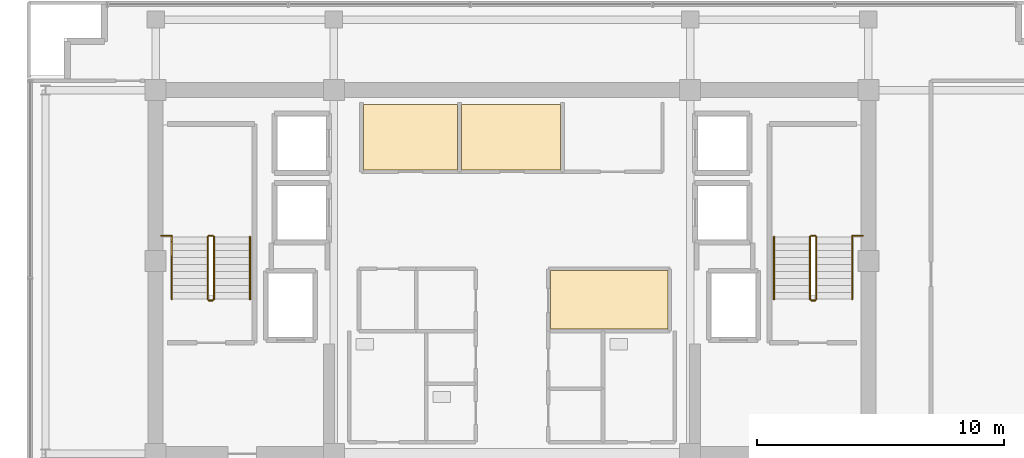
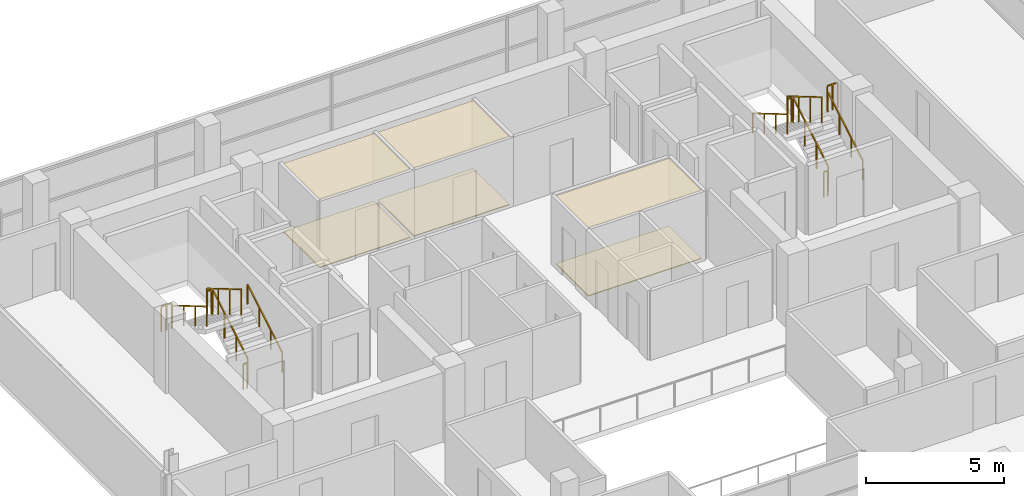
# One storey, part 20 of 21: 14 railings, 6 coverings.
"""IFC4 building model written with IfcOpenShell, lengths in metres."""

from ifc_helpers import new_model, si_unit, direction, frame, origin, origin_2d, place, context, subcontext, project, spatial, polyline, rectangle, outline, extrude, material, layer, layer_set, type_object, element, save


model = new_model("IFC4")

# Units and contexts
model_context = context("Model", 3, precision=1e-05, world=origin(), true_north=direction((0.0, 1.0)))
body_context = subcontext(model_context, "Body", "Model", "MODEL_VIEW")
ifc_project = project(units=[si_unit("LENGTHUNIT", "METRE"), si_unit("AREAUNIT", "SQUARE_METRE"), si_unit("VOLUMEUNIT", "CUBIC_METRE"), si_unit("PLANEANGLEUNIT", "RADIAN"), si_unit("MASSUNIT", "GRAM", prefix="KILO")], contexts=[model_context])

# Site, building, storey
site_placement = place(None, origin())
site = spatial("IfcSite", under=ifc_project, at=site_placement, CompositionType="ELEMENT")
building_placement = place(site_placement, origin())
building = spatial("IfcBuilding", under=site, at=building_placement, Name="Zarnakvel Exchange Tower", CompositionType="ELEMENT")
storey_placement = place(building_placement, frame((0.0, 0.0, 241.89990234375)))
storey = spatial("IfcBuildingStorey", under=building, at=storey_placement, Name="L68", CompositionType="ELEMENT", Elevation=241.89990234375)

# Coverings
ifc_material_1 = material(Name="Perforated Bronze Acoustic Metal Ceiling", Category="aluminium")
ifc_layer_1 = layer(ifc_material_1, 0.02001953125)
ifc_layer_set_1 = layer_set([ifc_layer_1], Name="Perforated Bronze Acoustic Metal Ceiling")
covering_type_1 = type_object("IfcCoveringType", Name="CLG-01", PredefinedType="CEILING", material=ifc_layer_set_1)
covering_1_placement = place(storey_placement, frame((0.0, 0.0, 3.01513671875)))
element("IfcCovering", 1, at=covering_1_placement, inside=storey, type_object=covering_type_1, Name="L68 Suspended Acoustic Ceiling (Clearing Records Office)", PredefinedType="CEILING", context=body_context, shape_type="SweptSolid", body=[
    extrude(outline(polyline([(-6.0, 12.919921875), (-2.199951171875, 12.919921875), (-2.199951171875, 10.280029296875), (-6.0, 10.280029296875), (-6.0, 12.919921875)])), origin(), (0.0, 0.0, 1.0), 0.02001953125),
])
covering_2_placement = place(storey_placement, frame((0.0, 0.0, 3.01513671875)))
element("IfcCovering", 2, at=covering_2_placement, inside=storey, type_object=covering_type_1, Name="L68 Suspended Acoustic Ceiling (Brokerage Filing Room)", PredefinedType="CEILING", context=body_context, shape_type="SweptSolid", body=[
    extrude(outline(polyline([(-2.0400390625, 12.919921875), (1.9599609375, 12.919921875), (1.9599609375, 10.280029296875), (-2.0400390625, 10.280029296875), (-2.0400390625, 12.919921875)])), origin(), (0.0, 0.0, 1.0), 0.02001953125),
])
covering_3_placement = place(storey_placement, frame((0.0, 0.0, 3.01513671875)))
element("IfcCovering", 3, at=covering_3_placement, inside=storey, type_object=covering_type_1, Name="L68 Suspended Acoustic Ceiling (Telemetry Server Suite)", PredefinedType="CEILING", context=body_context, shape_type="SweptSolid", body=[
    extrude(outline(polyline([(1.550048828125, 6.199951171875), (6.300048828125, 6.199951171875), (6.300048828125, 3.840087890625), (1.550048828125, 3.840087890625), (1.550048828125, 6.199951171875)])), origin(), (0.0, 0.0, 1.0), 0.02001953125),
])
ifc_material_2 = material(Name="Heavy-Duty Raised Access Floor Panel", Category="steel")
ifc_layer_2 = layer(ifc_material_2, 0.034912109375)
ifc_layer_set_2 = layer_set([ifc_layer_2], Name="Heavy-Duty Raised Access Floor Panel")
covering_type_2 = type_object("IfcCoveringType", Name="FLR-02", PredefinedType="FLOORING", material=ifc_layer_set_2)
covering_4_placement = place(storey_placement, origin())
element("IfcCovering", 4, at=covering_4_placement, inside=storey, type_object=covering_type_2, Name="L68 Floor Finish (Clearing Records Office)", PredefinedType="FLOORING", context=body_context, shape_type="SweptSolid", body=[
    extrude(outline(polyline([(-6.0, 12.919921875), (-2.199951171875, 12.919921875), (-2.199951171875, 10.280029296875), (-6.0, 10.280029296875), (-6.0, 12.919921875)])), origin(), (0.0, 0.0, 1.0), 0.03515625),
])
covering_5_placement = place(storey_placement, origin())
element("IfcCovering", 5, at=covering_5_placement, inside=storey, type_object=covering_type_2, Name="L68 Floor Finish (Brokerage Filing Room)", PredefinedType="FLOORING", context=body_context, shape_type="SweptSolid", body=[
    extrude(outline(polyline([(-2.0400390625, 12.919921875), (1.9599609375, 12.919921875), (1.9599609375, 10.280029296875), (-2.0400390625, 10.280029296875), (-2.0400390625, 12.919921875)])), origin(), (0.0, 0.0, 1.0), 0.03515625),
])
covering_6_placement = place(storey_placement, origin())
element("IfcCovering", 6, at=covering_6_placement, inside=storey, type_object=covering_type_2, Name="L68 Floor Finish (Telemetry Server Suite)", PredefinedType="FLOORING", context=body_context, shape_type="SweptSolid", body=[
    extrude(outline(polyline([(1.550048828125, 6.199951171875), (6.300048828125, 6.199951171875), (6.300048828125, 3.840087890625), (1.550048828125, 3.840087890625), (1.550048828125, 6.199951171875)])), origin(), (0.0, 0.0, 1.0), 0.03515625),
])

# Railings
ifc_material_3 = material(Name="Brushed Stainless Steel", Category="steel")
railing_type_1 = type_object("IfcRailingType", Name="HR-01", PredefinedType="HANDRAIL", material=ifc_material_3)
railing_1_placement = place(storey_placement, frame((-10.590087890625, 5.050048828125, 0.1650390625)))
element("IfcRailing", 7, at=railing_1_placement, inside=storey, type_object=railing_type_1, Name="L68 ST-01 stair handrail 1", PredefinedType="HANDRAIL", context=body_context, shape_type="SweptSolid", body=[
    extrude(rectangle(XDim=0.048095703125, YDim=0.048095703125, at=origin_2d()), frame((0.0, 0.0, 0.8759765625), z_axis=(0.0, 0.86152411907, 0.507716645641), x_axis=(-1.0, 0.0, 0.0)), (0.0, 0.0, 1.0), 2.925048828125),
    extrude(rectangle(XDim=0.0419921875, YDim=0.0419921875, at=origin_2d()), origin(), (0.0, 0.0, 1.0), 0.851806640625),
    extrude(rectangle(XDim=0.0419921875, YDim=0.0419921875, at=origin_2d()), frame((0.0, 0.840087890625, 0.4951171875)), (0.0, 0.0, 1.0), 0.851806640625),
    extrude(rectangle(XDim=0.0419921875, YDim=0.0419921875, at=origin_2d()), frame((0.0, 1.679931640625, 0.989990234375)), (0.0, 0.0, 1.0), 0.851806640625),
    extrude(rectangle(XDim=0.0419921875, YDim=0.0419921875, at=origin_2d()), frame((0.0, 2.52001953125, 1.485107421875)), (0.0, 0.0, 1.0), 0.851806640625),
])
railing_2_placement = place(storey_placement, frame((-13.75, 7.570068359375, 1.815185546875)))
element("IfcRailing", 8, at=railing_2_placement, inside=storey, type_object=railing_type_1, Name="L68 ST-01 stair handrail 2", PredefinedType="HANDRAIL", context=body_context, shape_type="SweptSolid", body=[
    extrude(rectangle(XDim=0.048095703125, YDim=0.048095703125, at=origin_2d()), frame((0.0, 0.0, 0.8759765625), z_axis=(0.0, -0.861560626758, 0.507654692109), x_axis=(1.0, 0.0, 0.0)), (0.0, 0.0, 1.0), 2.925048828125),
    extrude(rectangle(XDim=0.0419921875, YDim=0.0419921875, at=origin_2d()), origin(), (0.0, 0.0, 1.0), 0.851806640625),
    extrude(rectangle(XDim=0.0419921875, YDim=0.0419921875, at=origin_2d()), frame((0.0, -0.840087890625, 0.494873046875)), (0.0, 0.0, 1.0), 0.851806640625),
    extrude(rectangle(XDim=0.0419921875, YDim=0.0419921875, at=origin_2d()), frame((0.0, -1.679931640625, 0.989990234375)), (0.0, 0.0, 1.0), 0.851806640625),
    extrude(rectangle(XDim=0.0419921875, YDim=0.0419921875, at=origin_2d()), frame((0.0, -2.52001953125, 1.48486328125)), (0.0, 0.0, 1.0), 0.851806640625),
])
railing_3_placement = place(storey_placement, frame((13.75, 5.050048828125, 0.1650390625)))
element("IfcRailing", 9, at=railing_3_placement, inside=storey, type_object=railing_type_1, Name="L68 ST-02 stair handrail 1", PredefinedType="HANDRAIL", context=body_context, shape_type="SweptSolid", body=[
    extrude(rectangle(XDim=0.048095703125, YDim=0.048095703125, at=origin_2d()), frame((0.0, 0.0, 0.8759765625), z_axis=(0.0, 0.86152411907, 0.507716645641), x_axis=(-1.0, 0.0, 0.0)), (0.0, 0.0, 1.0), 2.925048828125),
    extrude(rectangle(XDim=0.0419921875, YDim=0.0419921875, at=origin_2d()), origin(), (0.0, 0.0, 1.0), 0.851806640625),
    extrude(rectangle(XDim=0.0419921875, YDim=0.0419921875, at=origin_2d()), frame((0.0, 0.840087890625, 0.4951171875)), (0.0, 0.0, 1.0), 0.851806640625),
    extrude(rectangle(XDim=0.0419921875, YDim=0.0419921875, at=origin_2d()), frame((0.0, 1.679931640625, 0.989990234375)), (0.0, 0.0, 1.0), 0.851806640625),
    extrude(rectangle(XDim=0.0419921875, YDim=0.0419921875, at=origin_2d()), frame((0.0, 2.52001953125, 1.485107421875)), (0.0, 0.0, 1.0), 0.851806640625),
])
railing_4_placement = place(storey_placement, frame((10.590087890625, 7.570068359375, 1.815185546875)))
element("IfcRailing", 10, at=railing_4_placement, inside=storey, type_object=railing_type_1, Name="L68 ST-02 stair handrail 2", PredefinedType="HANDRAIL", context=body_context, shape_type="SweptSolid", body=[
    extrude(rectangle(XDim=0.048095703125, YDim=0.048095703125, at=origin_2d()), frame((0.0, 0.0, 0.8759765625), z_axis=(0.0, -0.861560626758, 0.507654692109), x_axis=(1.0, 0.0, 0.0)), (0.0, 0.0, 1.0), 2.925048828125),
    extrude(rectangle(XDim=0.0419921875, YDim=0.0419921875, at=origin_2d()), origin(), (0.0, 0.0, 1.0), 0.851806640625),
    extrude(rectangle(XDim=0.0419921875, YDim=0.0419921875, at=origin_2d()), frame((0.0, -0.840087890625, 0.494873046875)), (0.0, 0.0, 1.0), 0.851806640625),
    extrude(rectangle(XDim=0.0419921875, YDim=0.0419921875, at=origin_2d()), frame((0.0, -1.679931640625, 0.989990234375)), (0.0, 0.0, 1.0), 0.851806640625),
    extrude(rectangle(XDim=0.0419921875, YDim=0.0419921875, at=origin_2d()), frame((0.0, -2.52001953125, 1.48486328125)), (0.0, 0.0, 1.0), 0.851806640625),
])
ifc_material_4 = material(Name="Architectural Bronze Anodised Aluminium", Category="aluminium")
railing_type_2 = type_object("IfcRailingType", Name="SG-01", PredefinedType="GUARDRAIL", material=ifc_material_4)
railing_5_placement = place(storey_placement, frame((-12.0400390625, 5.050048828125, 0.1650390625)))
element("IfcRailing", 11, at=railing_5_placement, inside=storey, type_object=railing_type_2, Name="L68 ST-01 stair guard 1", PredefinedType="GUARDRAIL", context=body_context, shape_type="SweptSolid", body=[
    extrude(rectangle(XDim=0.048095703125, YDim=0.048095703125, at=origin_2d()), frame((0.0, 0.0, 1.1259765625), z_axis=(0.0, 0.86152411907, 0.507716645641), x_axis=(-1.0, 0.0, 0.0)), (0.0, 0.0, 1.0), 2.925048828125),
    extrude(rectangle(XDim=0.0419921875, YDim=0.0419921875, at=origin_2d()), origin(), (0.0, 0.0, 1.0), 1.101806640625),
    extrude(rectangle(XDim=0.0419921875, YDim=0.0419921875, at=origin_2d()), frame((0.0, 0.840087890625, 0.4951171875)), (0.0, 0.0, 1.0), 1.101806640625),
    extrude(rectangle(XDim=0.0419921875, YDim=0.0419921875, at=origin_2d()), frame((0.0, 1.679931640625, 0.989990234375)), (0.0, 0.0, 1.0), 1.101806640625),
    extrude(rectangle(XDim=0.0419921875, YDim=0.0419921875, at=origin_2d()), frame((0.0, 2.52001953125, 1.485107421875)), (0.0, 0.0, 1.0), 1.101806640625),
])
railing_6_placement = place(storey_placement, frame((-12.090087890625, 7.6201171875, 1.650146484375)))
element("IfcRailing", 12, at=railing_6_placement, inside=storey, type_object=railing_type_2, Name="L68 ST-01 stair guard 2", PredefinedType="GUARDRAIL", context=body_context, shape_type="SweptSolid", body=[
    extrude(rectangle(XDim=0.048095703125, YDim=0.048095703125, at=origin_2d()), frame((0.0, 0.0, 1.1259765625), z_axis=(-1.0, 0.0, 0.0), x_axis=(0.0, -1.0, 0.0)), (0.0, 0.0, 1.0), 0.159912109375),
    extrude(rectangle(XDim=0.0419921875, YDim=0.0419921875, at=origin_2d()), origin(), (0.0, 0.0, 1.0), 1.101806640625),
    extrude(rectangle(XDim=0.0419921875, YDim=0.0419921875, at=origin_2d()), frame((-0.159912109375, 0.0, 0.0)), (0.0, 0.0, 1.0), 1.101806640625),
])
railing_7_placement = place(storey_placement, frame((-12.300048828125, 7.570068359375, 1.815185546875)))
element("IfcRailing", 13, at=railing_7_placement, inside=storey, type_object=railing_type_2, Name="L68 ST-01 stair guard 3", PredefinedType="GUARDRAIL", context=body_context, shape_type="SweptSolid", body=[
    extrude(rectangle(XDim=0.048095703125, YDim=0.048095703125, at=origin_2d()), frame((0.0, 0.0, 1.1259765625), z_axis=(0.0, -0.861560626758, 0.507654692109), x_axis=(1.0, 0.0, 0.0)), (0.0, 0.0, 1.0), 2.925048828125),
    extrude(rectangle(XDim=0.0419921875, YDim=0.0419921875, at=origin_2d()), origin(), (0.0, 0.0, 1.0), 1.101806640625),
    extrude(rectangle(XDim=0.0419921875, YDim=0.0419921875, at=origin_2d()), frame((0.0, -0.840087890625, 0.494873046875)), (0.0, 0.0, 1.0), 1.101806640625),
    extrude(rectangle(XDim=0.0419921875, YDim=0.0419921875, at=origin_2d()), frame((0.0, -1.679931640625, 0.989990234375)), (0.0, 0.0, 1.0), 1.101806640625),
    extrude(rectangle(XDim=0.0419921875, YDim=0.0419921875, at=origin_2d()), frame((0.0, -2.52001953125, 1.48486328125)), (0.0, 0.0, 1.0), 1.101806640625),
])
railing_8_placement = place(storey_placement, frame((-12.090087890625, 5.0, 0.0)))
element("IfcRailing", 14, at=railing_8_placement, inside=storey, type_object=railing_type_2, Name="L68 ST-01 stair guard 4", PredefinedType="GUARDRAIL", context=body_context, shape_type="SweptSolid", body=[
    extrude(rectangle(XDim=0.048095703125, YDim=0.048095703125, at=origin_2d()), frame((0.0, 0.0, 1.1259765625), z_axis=(-1.0, 0.0, 0.0), x_axis=(0.0, -1.0, 0.0)), (0.0, 0.0, 1.0), 0.159912109375),
    extrude(rectangle(XDim=0.0419921875, YDim=0.0419921875, at=origin_2d()), origin(), (0.0, 0.0, 1.0), 1.101806640625),
    extrude(rectangle(XDim=0.0419921875, YDim=0.0419921875, at=origin_2d()), frame((-0.159912109375, 0.0, 0.0)), (0.0, 0.0, 1.0), 1.101806640625),
])
railing_9_placement = place(storey_placement, frame((-14.179931640625, 7.610107421875, 1.650146484375)))
element("IfcRailing", 15, at=railing_9_placement, inside=storey, type_object=railing_type_2, Name="L68 ST-01 Landing Slot Guardrail", PredefinedType="GUARDRAIL", context=body_context, shape_type="SweptSolid", body=[
    extrude(rectangle(XDim=0.048095703125, YDim=0.048095703125, at=origin_2d()), frame((0.0, 0.0, 1.1259765625), z_axis=(1.0, 0.0, 0.0), x_axis=(0.0, 1.0, 0.0)), (0.0, 0.0, 1.0), 0.429931640625),
    extrude(rectangle(XDim=0.0419921875, YDim=0.0419921875, at=origin_2d()), origin(), (0.0, 0.0, 1.0), 1.101806640625),
    extrude(rectangle(XDim=0.0419921875, YDim=0.0419921875, at=origin_2d()), frame((0.21484375, 0.0, 0.0)), (0.0, 0.0, 1.0), 1.101806640625),
    extrude(rectangle(XDim=0.0419921875, YDim=0.0419921875, at=origin_2d()), frame((0.429931640625, 0.0, 0.0)), (0.0, 0.0, 1.0), 1.101806640625),
])
railing_10_placement = place(storey_placement, frame((12.300048828125, 5.050048828125, 0.1650390625)))
element("IfcRailing", 16, at=railing_10_placement, inside=storey, type_object=railing_type_2, Name="L68 ST-02 stair guard 1", PredefinedType="GUARDRAIL", context=body_context, shape_type="SweptSolid", body=[
    extrude(rectangle(XDim=0.048095703125, YDim=0.048095703125, at=origin_2d()), frame((0.0, 0.0, 1.1259765625), z_axis=(0.0, 0.86152411907, 0.507716645641), x_axis=(-1.0, 0.0, 0.0)), (0.0, 0.0, 1.0), 2.925048828125),
    extrude(rectangle(XDim=0.0419921875, YDim=0.0419921875, at=origin_2d()), origin(), (0.0, 0.0, 1.0), 1.101806640625),
    extrude(rectangle(XDim=0.0419921875, YDim=0.0419921875, at=origin_2d()), frame((0.0, 0.840087890625, 0.4951171875)), (0.0, 0.0, 1.0), 1.101806640625),
    extrude(rectangle(XDim=0.0419921875, YDim=0.0419921875, at=origin_2d()), frame((0.0, 1.679931640625, 0.989990234375)), (0.0, 0.0, 1.0), 1.101806640625),
    extrude(rectangle(XDim=0.0419921875, YDim=0.0419921875, at=origin_2d()), frame((0.0, 2.52001953125, 1.485107421875)), (0.0, 0.0, 1.0), 1.101806640625),
])
railing_11_placement = place(storey_placement, frame((12.25, 7.6201171875, 1.650146484375)))
element("IfcRailing", 17, at=railing_11_placement, inside=storey, type_object=railing_type_2, Name="L68 ST-02 stair guard 2", PredefinedType="GUARDRAIL", context=body_context, shape_type="SweptSolid", body=[
    extrude(rectangle(XDim=0.048095703125, YDim=0.048095703125, at=origin_2d()), frame((0.0, 0.0, 1.1259765625), z_axis=(-1.0, 0.0, 0.0), x_axis=(0.0, -1.0, 0.0)), (0.0, 0.0, 1.0), 0.159912109375),
    extrude(rectangle(XDim=0.0419921875, YDim=0.0419921875, at=origin_2d()), origin(), (0.0, 0.0, 1.0), 1.101806640625),
    extrude(rectangle(XDim=0.0419921875, YDim=0.0419921875, at=origin_2d()), frame((-0.159912109375, 0.0, 0.0)), (0.0, 0.0, 1.0), 1.101806640625),
])
railing_12_placement = place(storey_placement, frame((12.0400390625, 7.570068359375, 1.815185546875)))
element("IfcRailing", 18, at=railing_12_placement, inside=storey, type_object=railing_type_2, Name="L68 ST-02 stair guard 3", PredefinedType="GUARDRAIL", context=body_context, shape_type="SweptSolid", body=[
    extrude(rectangle(XDim=0.048095703125, YDim=0.048095703125, at=origin_2d()), frame((0.0, 0.0, 1.1259765625), z_axis=(0.0, -0.861560626758, 0.507654692109), x_axis=(1.0, 0.0, 0.0)), (0.0, 0.0, 1.0), 2.925048828125),
    extrude(rectangle(XDim=0.0419921875, YDim=0.0419921875, at=origin_2d()), origin(), (0.0, 0.0, 1.0), 1.101806640625),
    extrude(rectangle(XDim=0.0419921875, YDim=0.0419921875, at=origin_2d()), frame((0.0, -0.840087890625, 0.494873046875)), (0.0, 0.0, 1.0), 1.101806640625),
    extrude(rectangle(XDim=0.0419921875, YDim=0.0419921875, at=origin_2d()), frame((0.0, -1.679931640625, 0.989990234375)), (0.0, 0.0, 1.0), 1.101806640625),
    extrude(rectangle(XDim=0.0419921875, YDim=0.0419921875, at=origin_2d()), frame((0.0, -2.52001953125, 1.48486328125)), (0.0, 0.0, 1.0), 1.101806640625),
])
railing_13_placement = place(storey_placement, frame((12.25, 5.0, 0.0)))
element("IfcRailing", 19, at=railing_13_placement, inside=storey, type_object=railing_type_2, Name="L68 ST-02 stair guard 4", PredefinedType="GUARDRAIL", context=body_context, shape_type="SweptSolid", body=[
    extrude(rectangle(XDim=0.048095703125, YDim=0.048095703125, at=origin_2d()), frame((0.0, 0.0, 1.1259765625), z_axis=(-1.0, 0.0, 0.0), x_axis=(0.0, -1.0, 0.0)), (0.0, 0.0, 1.0), 0.159912109375),
    extrude(rectangle(XDim=0.0419921875, YDim=0.0419921875, at=origin_2d()), origin(), (0.0, 0.0, 1.0), 1.101806640625),
    extrude(rectangle(XDim=0.0419921875, YDim=0.0419921875, at=origin_2d()), frame((-0.159912109375, 0.0, 0.0)), (0.0, 0.0, 1.0), 1.101806640625),
])
railing_14_placement = place(storey_placement, frame((13.75, 7.610107421875, 1.650146484375)))
element("IfcRailing", 20, at=railing_14_placement, inside=storey, type_object=railing_type_2, Name="L68 ST-02 Landing Slot Guardrail", PredefinedType="GUARDRAIL", context=body_context, shape_type="SweptSolid", body=[
    extrude(rectangle(XDim=0.048095703125, YDim=0.048095703125, at=origin_2d()), frame((0.0, 0.0, 1.1259765625), z_axis=(1.0, 0.0, 0.0), x_axis=(0.0, 1.0, 0.0)), (0.0, 0.0, 1.0), 0.429931640625),
    extrude(rectangle(XDim=0.0419921875, YDim=0.0419921875, at=origin_2d()), origin(), (0.0, 0.0, 1.0), 1.101806640625),
    extrude(rectangle(XDim=0.0419921875, YDim=0.0419921875, at=origin_2d()), frame((0.21484375, 0.0, 0.0)), (0.0, 0.0, 1.0), 1.101806640625),
    extrude(rectangle(XDim=0.0419921875, YDim=0.0419921875, at=origin_2d()), frame((0.429931640625, 0.0, 0.0)), (0.0, 0.0, 1.0), 1.101806640625),
])

save(model, "model.ifc")
